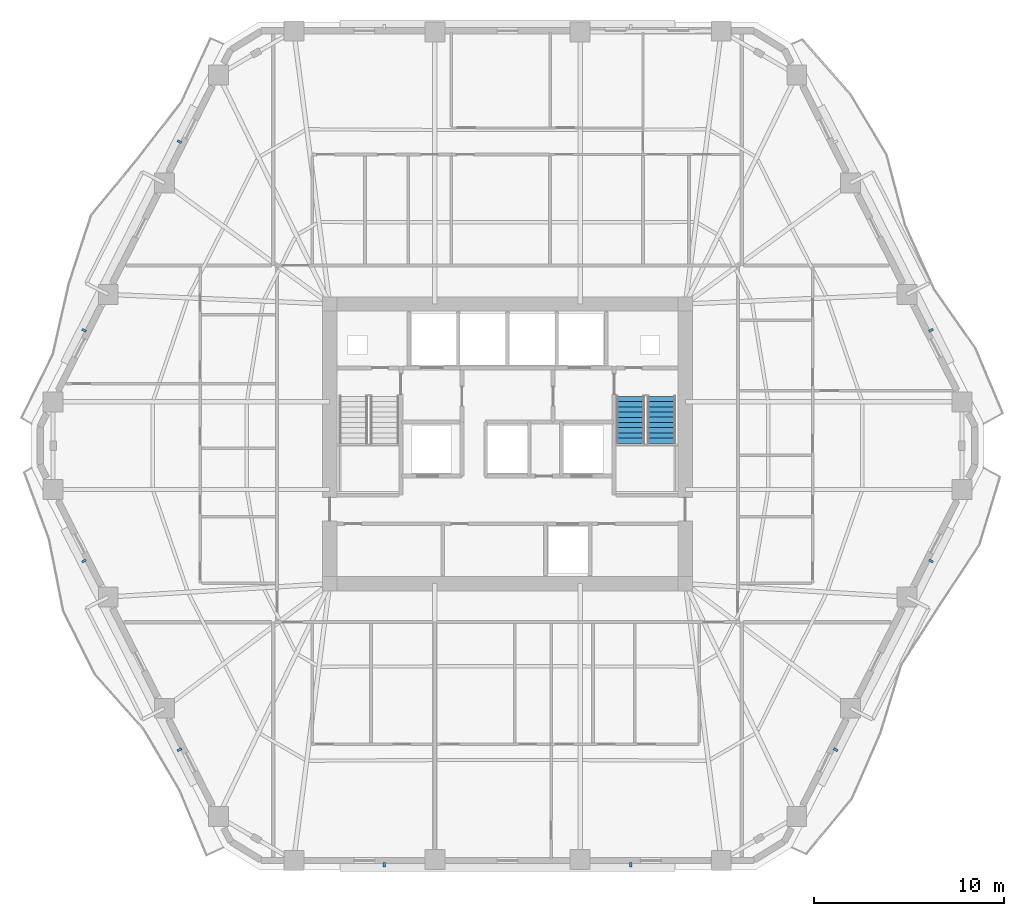
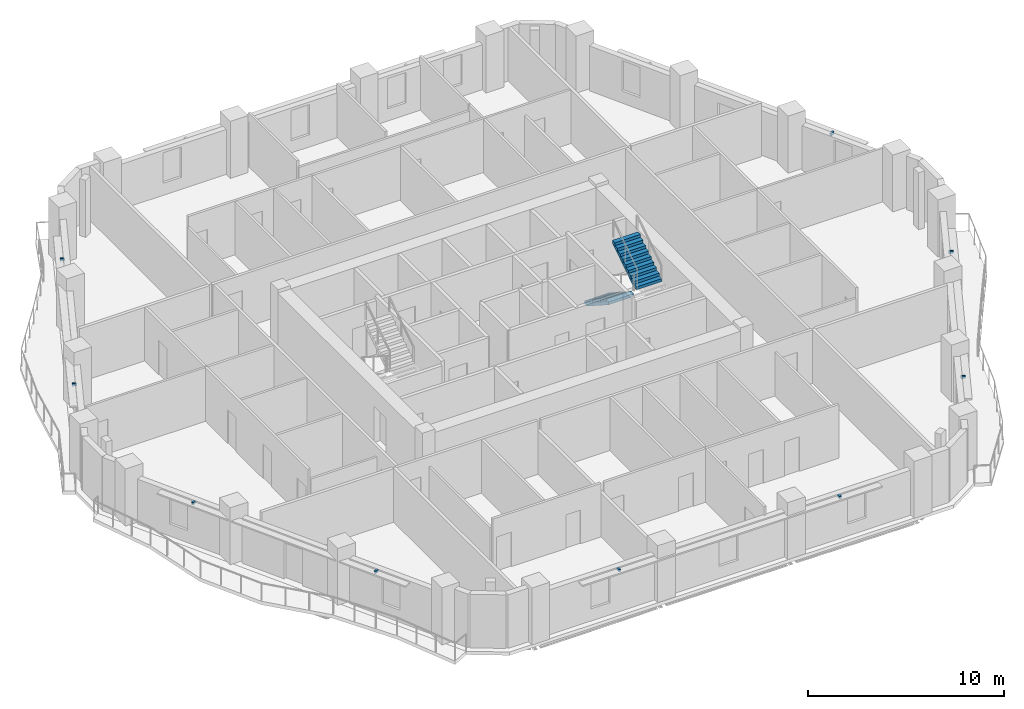
# One storey, part 8 of 12: 9 discrete accessories, 2 stair flights, 1 element without a shape of its own.
"""IFC4 building model written with IfcOpenShell, lengths in metres."""

from ifc_helpers import new_model, si_unit, direction, frame, origin, origin_2d, place, context, subcontext, project, spatial, polyline, rectangle, outline, extrude, material, type_object, element, aggregate, save


model = new_model("IFC4")

# Units and contexts
model_context = context("Model", 3, precision=1e-05, world=origin(), true_north=direction((0.0, 1.0)))
body_context = subcontext(model_context, "Body", "Model", "MODEL_VIEW")
ifc_project = project(units=[si_unit("LENGTHUNIT", "METRE"), si_unit("AREAUNIT", "SQUARE_METRE"), si_unit("VOLUMEUNIT", "CUBIC_METRE"), si_unit("PLANEANGLEUNIT", "RADIAN"), si_unit("MASSUNIT", "GRAM", prefix="KILO")], contexts=[model_context])

# Site, building, storey
site_placement = place(None, origin())
site = spatial("IfcSite", under=ifc_project, at=site_placement, CompositionType="ELEMENT")
building_placement = place(site_placement, origin())
building = spatial("IfcBuilding", under=site, at=building_placement, Name="Cinnabar Lancet Tower", CompositionType="ELEMENT")
storey_placement = place(building_placement, frame((0.0, 0.0, 126.800048828125)))
storey = spatial("IfcBuildingStorey", under=building, at=storey_placement, Name="L33", CompositionType="ELEMENT", Elevation=126.800048828125)

# Stair, stair flights
ifc_material_1 = material(Name="Concrete C40/50", Category="concrete")
stair_type = type_object("IfcStairType", Name="ST-CORE", PredefinedType="HALF_TURN_STAIR", material=ifc_material_1)
stair_placement = place(storey_placement, origin())
stair = element("IfcStair", 1, at=stair_placement, inside=storey, type_object=stair_type, Name="L33 ST-2", PredefinedType="HALF_TURN_STAIR")
ifc_material_2 = material(Name="Concrete C40/50", Category="concrete")
stair_flight_type = type_object("IfcStairFlightType", Name="FLIGHT-CORE", PredefinedType="STRAIGHT", material=ifc_material_2)
stair_flight_1_placement = place(storey_placement, frame((38.875, 28.39990234375, 0.0), z_axis=(0.0, 0.0, 1.0), x_axis=(0.0, -1.0, 0.0)))
stair_flight_1 = element("IfcStairFlight", 2, at=stair_flight_1_placement, type_object=stair_flight_type, Name="ST-2 flight 1", NumberOfRisers=10, NumberOfTreads=9, PredefinedType="STRAIGHT", RiserHeight=0.1775, TreadLength=0.275, context=body_context, shape_type="SweptSolid", body=[
    extrude(outline(polyline([(0.0, 0.0), (0.0, 0.177490234375), (0.27490234375, 0.177490234375), (0.27490234375, 0.35498046875), (0.550048828125, 0.35498046875), (0.550048828125, 0.532470703125), (0.824951171875, 0.532470703125), (0.824951171875, 0.7099609375), (1.10009765625, 0.7099609375), (1.10009765625, 0.887451171875), (1.375, 0.887451171875), (1.375, 1.06494140625), (1.64990234375, 1.06494140625), (1.64990234375, 1.242431640625), (1.925048828125, 1.242431640625), (1.925048828125, 1.419921875), (2.199951171875, 1.419921875), (2.199951171875, 1.597412109375), (2.47509765625, 1.597412109375), (2.47509765625, 1.77490234375), (2.47509765625, 1.419189453125), (0.2763671875, 0.0), (0.0, 0.0)])), frame((0.0, 0.75, 0.0), z_axis=(0.0, -1.0, 0.0), x_axis=(1.0, 0.0, 0.0)), (0.0, 0.0, 1.0), 1.5),
])
stair_flight_2_placement = place(storey_placement, frame((40.52490234375, 25.925048828125, 1.77490234375), z_axis=(0.0, 0.0, 1.0), x_axis=(0.0, 1.0, 0.0)))
stair_flight_2 = element("IfcStairFlight", 3, at=stair_flight_2_placement, type_object=stair_flight_type, Name="ST-2 flight 2", NumberOfRisers=10, NumberOfTreads=9, PredefinedType="STRAIGHT", RiserHeight=0.1775, TreadLength=0.275, context=body_context, shape_type="SweptSolid", body=[
    extrude(outline(polyline([(0.0, 0.0), (0.0, 0.177490234375), (0.27490234375, 0.177490234375), (0.27490234375, 0.35498046875), (0.550048828125, 0.35498046875), (0.550048828125, 0.532470703125), (0.824951171875, 0.532470703125), (0.824951171875, 0.7099609375), (1.10009765625, 0.7099609375), (1.10009765625, 0.887451171875), (1.375, 0.887451171875), (1.375, 1.06494140625), (1.64990234375, 1.06494140625), (1.64990234375, 1.242431640625), (1.925048828125, 1.242431640625), (1.925048828125, 1.419921875), (2.199951171875, 1.419921875), (2.199951171875, 1.597412109375), (2.47509765625, 1.597412109375), (2.47509765625, 1.77490234375), (2.47509765625, 1.419189453125), (0.2763671875, 0.0), (0.0, 0.0)])), frame((0.0, 0.75, 0.0), z_axis=(0.0, -1.0, 0.0), x_axis=(1.0, 0.0, 0.0)), (0.0, 0.0, 1.0), 1.5),
])
aggregate(stair, [stair_flight_1, stair_flight_2])

# Discrete accessories
ifc_material_3 = material(Name="Stainless steel 316 facade fixing bracket", Category="steel")
discrete_accessory_type = type_object("IfcDiscreteAccessoryType", Name="ENV-ACC-BRK-180", PredefinedType="BRACKET", material=ifc_material_3)
for number, where, z_axis, x_axis, name in (
    (4, (25.89892578125, 3.7099609375, 2.60009765625), (0.0, 0.0, 1.0), (1.0, 0.0, 0.0), "L33 Face 1 Sunshade Bracket A"),
    (5, (38.90087890625, 3.7099609375, 2.60009765625), (0.0, 0.0, 1.0), (1.0, 0.0, 0.0), "L33 Face 1 Sunshade Bracket B"),
    (6, (49.698974609375, 9.77197265625, 2.60009765625), (0.0, 0.0, 1.0), (0.451453853408, 0.892294468347, 0.0), "L33 Face 2 Sunshade Bracket A"),
    (7, (54.72998046875, 19.717041015625, 2.60009765625), (0.0, 0.0, 1.0), (0.451453853408, 0.892294468347, 0.0), "L33 Face 2 Sunshade Bracket B"),
    (8, (54.72998046875, 31.883056640625, 2.60009765625), (0.0, 0.0, 1.0), (-0.451453853408, 0.892294468347, 0.0), "L33 Face 3 Sunshade Bracket A"),
    (9, (15.10107421875, 41.827880859375, 2.60009765625), (0.0, 0.0, 1.0), (-0.451453853408, -0.892294468347, 0.0), "L33 Face 5 Sunshade Bracket A"),
    (10, (10.070068359375, 31.883056640625, 2.60009765625), (0.0, 0.0, 1.0), (-0.451453853408, -0.892294468347, 0.0), "L33 Face 5 Sunshade Bracket B"),
    (11, (10.070068359375, 19.717041015625, 2.60009765625), (0.0, 0.0, 1.0), (0.451453853408, -0.892294468347, 0.0), "L33 Face 6 Sunshade Bracket A"),
    (12, (15.10107421875, 9.77197265625, 2.60009765625), (0.0, 0.0, 1.0), (0.451453853408, -0.892294468347, 0.0), "L33 Face 6 Sunshade Bracket B"),
):
    element("IfcDiscreteAccessory", number, at=place(storey_placement, frame(where, z_axis=z_axis, x_axis=x_axis)), inside=storey, type_object=discrete_accessory_type, Name=name, PredefinedType="BRACKET", context=body_context, shape_type="SweptSolid", body=[
        extrude(rectangle(XDim=0.1201171875, YDim=0.239990234375, at=origin_2d()), origin(), (0.0, 0.0, 1.0), 0.159912109375),
    ])

save(model, "model.ifc")
